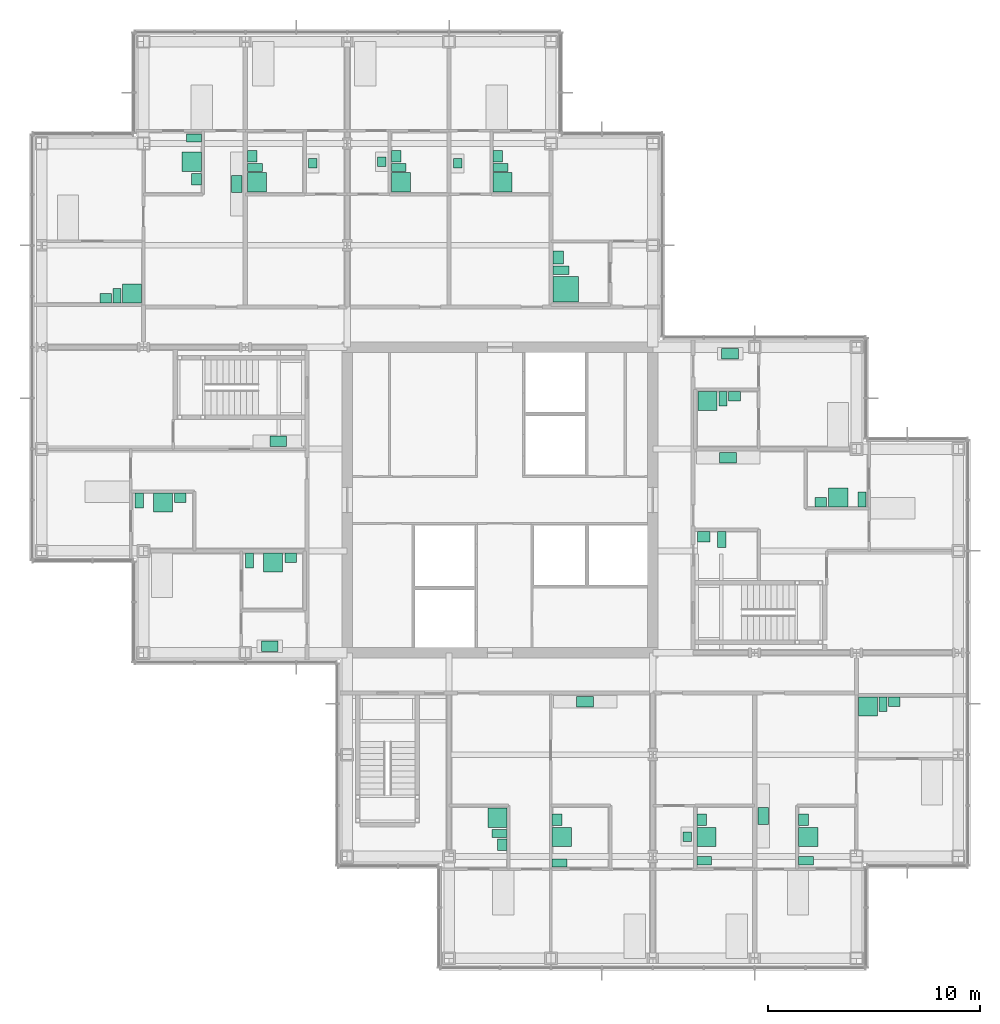
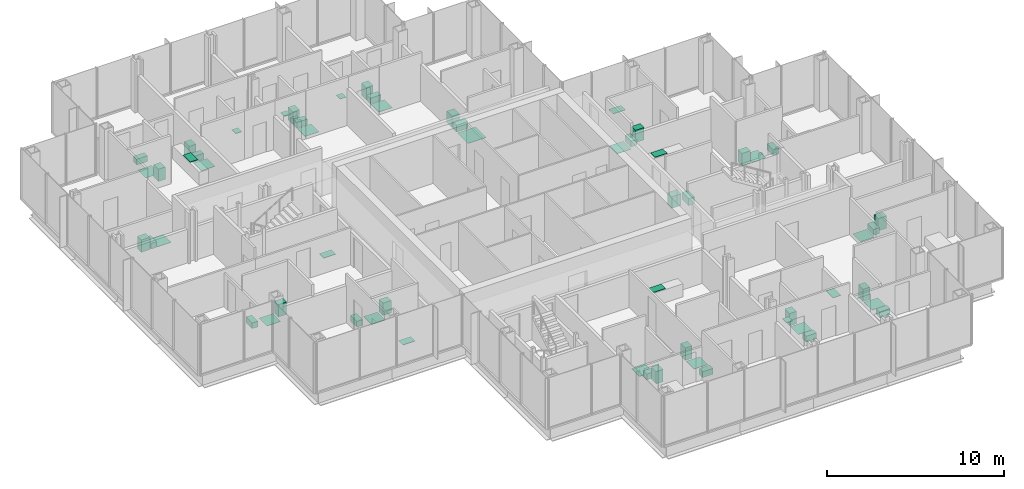
# One storey, part 19 of 20: 58 sanitary terminals.
"""IFC4 building model written with IfcOpenShell, lengths in metres."""

from ifc_helpers import new_model, si_unit, direction, frame, origin, origin_2d, place, context, subcontext, project, spatial, rectangle, extrude, material, type_object, element, save


model = new_model("IFC4")

# Units and contexts
model_context = context("Model", 3, precision=1e-05, world=origin(), true_north=direction((0.0, 1.0)))
body_context = subcontext(model_context, "Body", "Model", "MODEL_VIEW")
ifc_project = project(units=[si_unit("LENGTHUNIT", "METRE"), si_unit("AREAUNIT", "SQUARE_METRE"), si_unit("VOLUMEUNIT", "CUBIC_METRE"), si_unit("PLANEANGLEUNIT", "RADIAN"), si_unit("MASSUNIT", "GRAM", prefix="KILO")], contexts=[model_context])

# Site, building, storey
site_placement = place(None, origin())
site = spatial("IfcSite", under=ifc_project, at=site_placement, CompositionType="ELEMENT")
building_placement = place(site_placement, origin())
building = spatial("IfcBuilding", under=site, at=building_placement, Name="Kvirike Care Tower", CompositionType="ELEMENT")
storey_placement = place(building_placement, frame((0.0, 0.0, 115.5)))
storey = spatial("IfcBuildingStorey", under=building, at=storey_placement, Name="L31", CompositionType="ELEMENT", Elevation=115.5)

# Sanitary terminals
ifc_material_1 = material(Name="Vitreous china", Category="ceramic")
sanitary_terminal_type_1 = type_object("IfcSanitaryTerminalType", Name="ACCESSIBLE WASH BASIN 600 x 500", PredefinedType="WASHHANDBASIN", material=ifc_material_1)
for number, where, z_axis, x_axis, name in (
    (1, (24.35205078125, 47.425048828125, 0.02001953125), (0.0, 0.0, 1.0), (0.0, 1.0, 0.0), "Accessible wash basin L31-032"),
    (2, (31.199951171875, 34.27294921875, 0.02001953125), (0.0, 0.0, 1.0), (1.0, 0.0, 0.0), "Accessible wash basin L31-056"),
):
    element("IfcSanitaryTerminal", number, at=place(storey_placement, frame(where, z_axis=z_axis, x_axis=x_axis)), inside=storey, type_object=sanitary_terminal_type_1, Name=name, PredefinedType="WASHHANDBASIN", context=body_context, shape_type="SweptSolid", body=[
        extrude(rectangle(XDim=0.60009765625, YDim=0.5, at=origin_2d()), origin(), (0.0, 0.0, 1.0), 0.800048828125),
    ])
ifc_material_2 = material(Name="Vitreous china", Category="ceramic")
sanitary_terminal_type_2 = type_object("IfcSanitaryTerminalType", Name="ACCESSIBLE WC PAN 400 x 750", PredefinedType="TOILETPAN", material=ifc_material_2)
for number, where, z_axis, x_axis, name in (
    (3, (24.47705078125, 46.824951171875, 0.02001953125), (0.0, 0.0, 1.0), (0.0, 1.0, 0.0), "Accessible WC pan L31-032"),
    (4, (32.050048828125, 34.14794921875, 0.02001953125), (0.0, 0.0, 1.0), (1.0, 0.0, 0.0), "Accessible WC pan L31-056"),
):
    element("IfcSanitaryTerminal", number, at=place(storey_placement, frame(where, z_axis=z_axis, x_axis=x_axis)), inside=storey, type_object=sanitary_terminal_type_2, Name=name, PredefinedType="TOILETPAN", context=body_context, shape_type="SweptSolid", body=[
        extrude(rectangle(XDim=0.39990234375, YDim=0.75, at=origin_2d()), origin(), (0.0, 0.0, 1.0), 0.47998046875),
    ])
ifc_material_3 = material(Name="Stainless steel", Category="steel")
sanitary_terminal_type_3 = type_object("IfcSanitaryTerminalType", Name="KITCHEN SINK 450 x 400", PredefinedType="SINK", material=ifc_material_3)
for number, where, z_axis, x_axis, name in (
    (5, (12.777099609375, 51.860107421875, 0.89990234375), (0.0, 0.0, 1.0), (0.0, 1.0, 0.0), "Kitchen sink L31-014"),
    (6, (19.60205078125, 51.860107421875, 0.89990234375), (0.0, 0.0, 1.0), (0.0, 1.0, 0.0), "Kitchen sink L31-036"),
    (7, (16.02294921875, 51.93994140625, 0.89990234375), (0.0, 0.0, 1.0), (0.0, -1.0, 0.0), "Kitchen sink L31-040"),
    (8, (30.423095703125, 20.139892578125, 0.89990234375), (0.0, 0.0, 1.0), (0.0, -1.0, 0.0), "Kitchen sink L31-045"),
):
    element("IfcSanitaryTerminal", number, at=place(storey_placement, frame(where, z_axis=z_axis, x_axis=x_axis)), inside=storey, type_object=sanitary_terminal_type_3, Name=name, PredefinedType="SINK", context=body_context, shape_type="SweptSolid", body=[
        extrude(rectangle(XDim=0.449951171875, YDim=0.39990234375, at=origin_2d()), origin(), (0.0, 0.0, 1.0), 0.030029296875),
    ])
ifc_material_4 = material(Name="Stainless steel", Category="steel")
sanitary_terminal_type_4 = type_object("IfcSanitaryTerminalType", Name="KITCHEN SINK 800 x 500", PredefinedType="SINK", material=ifc_material_4)
for number, where, z_axis, x_axis, name in (
    (9, (11.14990234375, 38.761962890625, 0.89990234375), (0.0, 0.0, 1.0), (-1.0, 0.0, 0.0), "Kitchen sink L31-006"),
    (10, (10.75, 29.10205078125, 0.89990234375), (0.0, 0.0, 1.0), (-1.0, 0.0, 0.0), "Kitchen sink L31-010"),
    (11, (9.197998046875, 50.889892578125, 0.89990234375), (0.0, 0.0, 1.0), (0.0, -1.0, 0.0), "Kitchen sink L31-020"),
    (12, (25.610107421875, 26.498046875, 0.89990234375), (0.0, 0.0, 1.0), (1.0, 0.0, 0.0), "Kitchen sink L31-029"),
    (13, (34.001953125, 21.110107421875, 0.89990234375), (0.0, 0.0, 1.0), (0.0, 1.0, 0.0), "Kitchen sink L31-051"),
    (14, (32.35009765625, 37.998046875, 0.89990234375), (0.0, 0.0, 1.0), (1.0, 0.0, 0.0), "Kitchen sink L31-058"),
    (15, (32.449951171875, 42.89794921875, 0.89990234375), (0.0, 0.0, 1.0), (1.0, 0.0, 0.0), "Kitchen sink L31-061"),
):
    element("IfcSanitaryTerminal", number, at=place(storey_placement, frame(where, z_axis=z_axis, x_axis=x_axis)), inside=storey, type_object=sanitary_terminal_type_4, Name=name, PredefinedType="SINK", context=body_context, shape_type="SweptSolid", body=[
        extrude(rectangle(XDim=0.800048828125, YDim=0.5, at=origin_2d()), origin(), (0.0, 0.0, 1.0), 0.030029296875),
    ])
ifc_material_5 = material(Name="Stainless steel", Category="steel")
sanitary_terminal_type_5 = type_object("IfcSanitaryTerminalType", Name="LEVEL-ACCESS SHOWER 1200 x 1200", PredefinedType="SHOWER", material=ifc_material_5)
sanitary_terminal_placement = place(storey_placement, frame((24.701904296875, 45.925048828125, 0.02001953125), z_axis=(0.0, 0.0, 1.0), x_axis=(0.0, 1.0, 0.0)))
element("IfcSanitaryTerminal", 16, at=sanitary_terminal_placement, inside=storey, type_object=sanitary_terminal_type_5, Name="Level-access shower L31-032", PredefinedType="SHOWER", context=body_context, shape_type="SweptSolid", body=[
    extrude(rectangle(XDim=1.199951171875, YDim=1.199951171875, at=origin_2d()), origin(), (0.0, 0.0, 1.0), 0.02001953125),
])
ifc_material_6 = material(Name="Stainless steel", Category="steel")
sanitary_terminal_type_6 = type_object("IfcSanitaryTerminalType", Name="LEVEL-ACCESS SHOWER 900 x 900", PredefinedType="SHOWER", material=ifc_material_6)
for number, where, z_axis, x_axis, name in (
    (17, (5.7099609375, 35.873046875, 0.02001953125), (0.0, 0.0, 1.0), (1.0, 0.0, 0.0), "Level-access shower L31-005"),
    (18, (10.909912109375, 33.048095703125, 0.02001953125), (0.0, 0.0, 1.0), (1.0, 0.0, 0.0), "Level-access shower L31-009"),
    (19, (10.152099609375, 50.97509765625, 0.02001953125), (0.0, 0.0, 1.0), (0.0, 1.0, 0.0), "Level-access shower L31-013"),
    (20, (7.072998046875, 51.93994140625, 0.02001953125), (0.0, 0.0, 1.0), (0.0, -1.0, 0.0), "Level-access shower L31-018"),
    (21, (4.25, 45.72705078125, 0.02001953125), (0.0, 0.0, 1.0), (-1.0, 0.0, 0.0), "Level-access shower L31-019"),
    (22, (21.472900390625, 21.02490234375, 0.02001953125), (0.0, 0.0, 1.0), (0.0, -1.0, 0.0), "Level-access shower L31-026"),
    (23, (24.511962890625, 20.110107421875, 0.02001953125), (0.0, 0.0, 1.0), (0.0, 1.0, 0.0), "Level-access shower L31-027"),
    (24, (21.72705078125, 50.97509765625, 0.02001953125), (0.0, 0.0, 1.0), (0.0, 1.0, 0.0), "Level-access shower L31-035"),
    (25, (16.927001953125, 50.97509765625, 0.02001953125), (0.0, 0.0, 1.0), (0.0, 1.0, 0.0), "Level-access shower L31-039"),
    (26, (31.326904296875, 20.110107421875, 0.02001953125), (0.0, 0.0, 1.0), (0.0, 1.0, 0.0), "Level-access shower L31-044"),
    (27, (36.126953125, 20.110107421875, 0.02001953125), (0.0, 0.0, 1.0), (0.0, 1.0, 0.0), "Level-access shower L31-049"),
    (28, (38.949951171875, 26.27294921875, 0.02001953125), (0.0, 0.0, 1.0), (1.0, 0.0, 0.0), "Level-access shower L31-050"),
    (29, (37.5400390625, 36.126953125, 0.02001953125), (0.0, 0.0, 1.0), (-1.0, 0.0, 0.0), "Level-access shower L31-057"),
    (30, (31.375, 40.673095703125, 0.02001953125), (0.0, 0.0, 1.0), (1.0, 0.0, 0.0), "Level-access shower L31-060"),
):
    element("IfcSanitaryTerminal", number, at=place(storey_placement, frame(where, z_axis=z_axis, x_axis=x_axis)), inside=storey, type_object=sanitary_terminal_type_6, Name=name, PredefinedType="SHOWER", context=body_context, shape_type="SweptSolid", body=[
        extrude(rectangle(XDim=0.89990234375, YDim=0.89990234375, at=origin_2d()), origin(), (0.0, 0.0, 1.0), 0.02001953125),
    ])
ifc_material_7 = material(Name="Vitreous china", Category="ceramic")
sanitary_terminal_type_7 = type_object("IfcSanitaryTerminalType", Name="WASH BASIN 550 x 450", PredefinedType="WASHHANDBASIN", material=ifc_material_7)
for number, where, z_axis, x_axis, name in (
    (31, (6.534912109375, 36.097900390625, 0.02001953125), (0.0, 0.0, 1.0), (1.0, 0.0, 0.0), "Wash basin L31-005"),
    (32, (11.735107421875, 33.27294921875, 0.02001953125), (0.0, 0.0, 1.0), (1.0, 0.0, 0.0), "Wash basin L31-009"),
    (33, (9.927001953125, 52.199951171875, 0.02001953125), (0.0, 0.0, 1.0), (0.0, 1.0, 0.0), "Wash basin L31-013"),
    (34, (7.298095703125, 51.114990234375, 0.02001953125), (0.0, 0.0, 1.0), (0.0, -1.0, 0.0), "Wash basin L31-018"),
    (35, (3.02490234375, 45.501953125, 0.02001953125), (0.0, 0.0, 1.0), (-1.0, 0.0, 0.0), "Wash basin L31-019"),
    (36, (21.697998046875, 19.75, 0.02001953125), (0.0, 0.0, 1.0), (0.0, -1.0, 0.0), "Wash basin L31-026"),
    (37, (24.287109375, 20.93505859375, 0.02001953125), (0.0, 0.0, 1.0), (0.0, 1.0, 0.0), "Wash basin L31-027"),
    (38, (21.501953125, 52.199951171875, 0.02001953125), (0.0, 0.0, 1.0), (0.0, 1.0, 0.0), "Wash basin L31-035"),
    (39, (16.701904296875, 52.199951171875, 0.02001953125), (0.0, 0.0, 1.0), (0.0, 1.0, 0.0), "Wash basin L31-039"),
    (40, (31.10205078125, 20.93505859375, 0.02001953125), (0.0, 0.0, 1.0), (0.0, 1.0, 0.0), "Wash basin L31-044"),
    (41, (35.902099609375, 20.93505859375, 0.02001953125), (0.0, 0.0, 1.0), (0.0, 1.0, 0.0), "Wash basin L31-049"),
    (42, (40.175048828125, 26.498046875, 0.02001953125), (0.0, 0.0, 1.0), (1.0, 0.0, 0.0), "Wash basin L31-050"),
    (43, (36.715087890625, 35.902099609375, 0.02001953125), (0.0, 0.0, 1.0), (-1.0, 0.0, 0.0), "Wash basin L31-057"),
    (44, (32.64990234375, 40.89794921875, 0.02001953125), (0.0, 0.0, 1.0), (1.0, 0.0, 0.0), "Wash basin L31-060"),
):
    element("IfcSanitaryTerminal", number, at=place(storey_placement, frame(where, z_axis=z_axis, x_axis=x_axis)), inside=storey, type_object=sanitary_terminal_type_7, Name=name, PredefinedType="WASHHANDBASIN", context=body_context, shape_type="SweptSolid", body=[
        extrude(rectangle(XDim=0.550048828125, YDim=0.449951171875, at=origin_2d()), origin(), (0.0, 0.0, 1.0), 0.85009765625),
    ])
ifc_material_8 = material(Name="Vitreous china", Category="ceramic")
sanitary_terminal_type_8 = type_object("IfcSanitaryTerminalType", Name="WC PAN 380 x 700", PredefinedType="TOILETPAN", material=ifc_material_8)
for number, where, z_axis, x_axis, name in (
    (45, (4.60009765625, 35.972900390625, 0.02001953125), (0.0, 0.0, 1.0), (1.0, 0.0, 0.0), "WC pan L31-005"),
    (46, (9.800048828125, 33.14794921875, 0.02001953125), (0.0, 0.0, 1.0), (1.0, 0.0, 0.0), "WC pan L31-009"),
    (47, (10.052001953125, 51.6650390625, 0.02001953125), (0.0, 0.0, 1.0), (0.0, 1.0, 0.0), "WC pan L31-013"),
    (48, (7.173095703125, 53.050048828125, 0.02001953125), (0.0, 0.0, 1.0), (0.0, -1.0, 0.0), "WC pan L31-018"),
    (49, (3.56005859375, 45.626953125, 0.02001953125), (0.0, 0.0, 1.0), (-1.0, 0.0, 0.0), "WC pan L31-019"),
    (50, (21.572998046875, 20.284912109375, 0.02001953125), (0.0, 0.0, 1.0), (0.0, -1.0, 0.0), "WC pan L31-026"),
    (51, (24.412109375, 18.89990234375, 0.02001953125), (0.0, 0.0, 1.0), (0.0, 1.0, 0.0), "WC pan L31-027"),
    (52, (21.626953125, 51.6650390625, 0.02001953125), (0.0, 0.0, 1.0), (0.0, 1.0, 0.0), "WC pan L31-035"),
    (53, (16.826904296875, 51.6650390625, 0.02001953125), (0.0, 0.0, 1.0), (0.0, 1.0, 0.0), "WC pan L31-039"),
    (54, (31.22705078125, 19.0, 0.02001953125), (0.0, 0.0, 1.0), (0.0, 1.0, 0.0), "WC pan L31-044"),
    (55, (36.027099609375, 19.0, 0.02001953125), (0.0, 0.0, 1.0), (0.0, 1.0, 0.0), "WC pan L31-049"),
    (56, (39.639892578125, 26.373046875, 0.02001953125), (0.0, 0.0, 1.0), (1.0, 0.0, 0.0), "WC pan L31-050"),
    (57, (38.64990234375, 36.027099609375, 0.02001953125), (0.0, 0.0, 1.0), (-1.0, 0.0, 0.0), "WC pan L31-057"),
    (58, (32.114990234375, 40.77294921875, 0.02001953125), (0.0, 0.0, 1.0), (1.0, 0.0, 0.0), "WC pan L31-060"),
):
    element("IfcSanitaryTerminal", number, at=place(storey_placement, frame(where, z_axis=z_axis, x_axis=x_axis)), inside=storey, type_object=sanitary_terminal_type_8, Name=name, PredefinedType="TOILETPAN", context=body_context, shape_type="SweptSolid", body=[
        extrude(rectangle(XDim=0.3798828125, YDim=0.699951171875, at=origin_2d()), origin(), (0.0, 0.0, 1.0), 0.39990234375),
    ])

save(model, "model.ifc")
